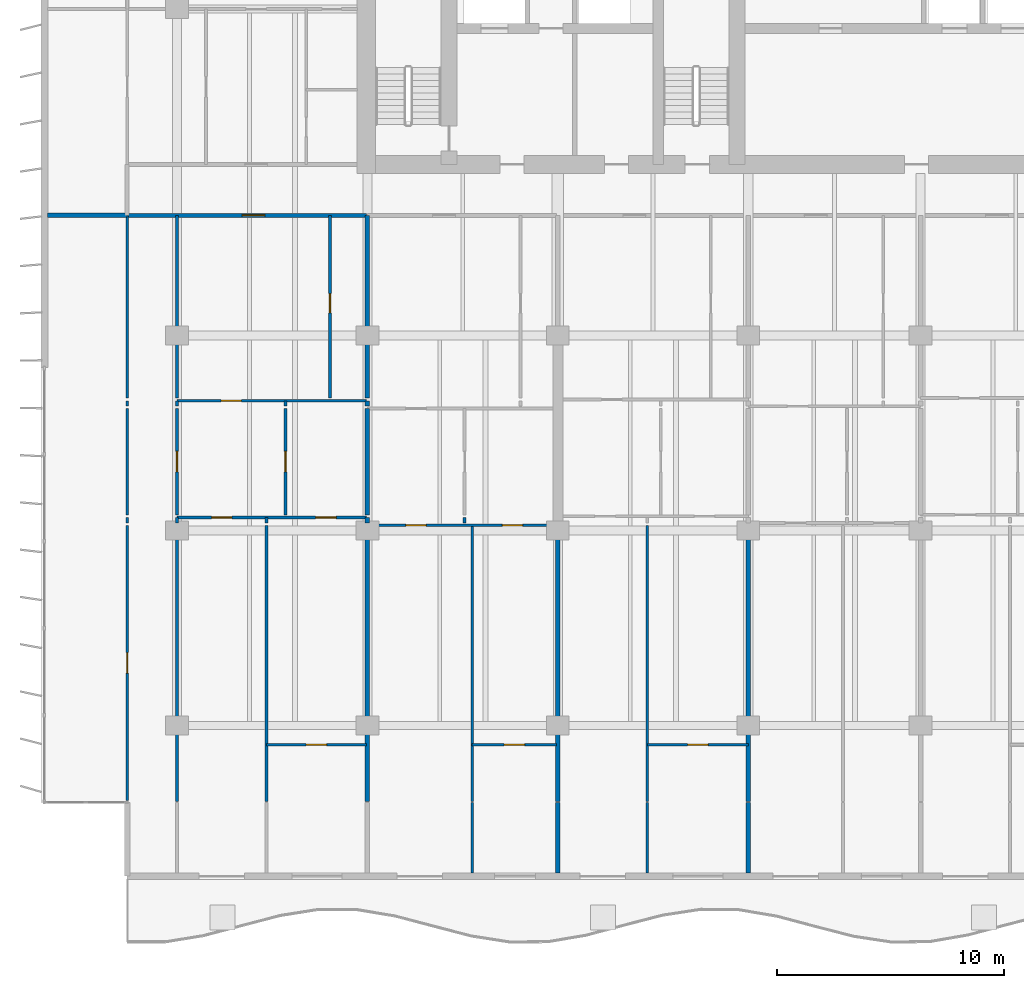
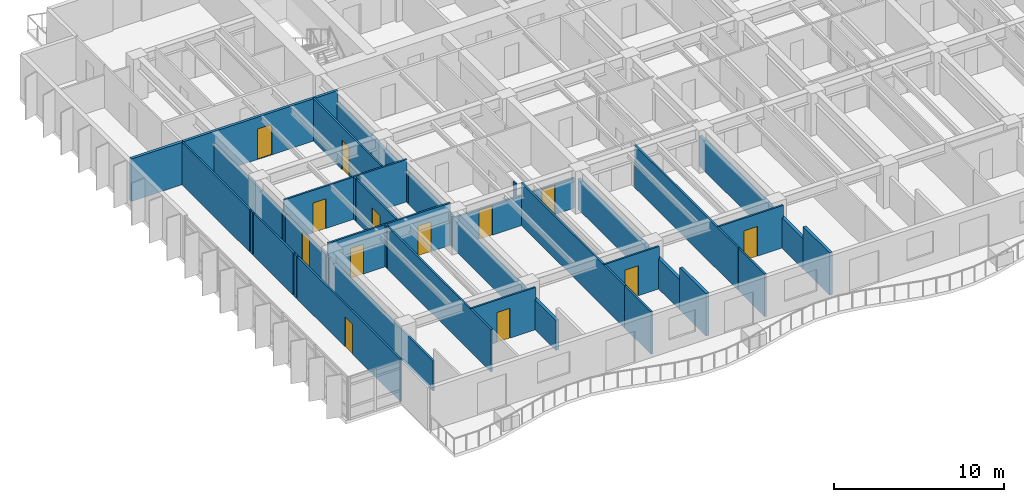
# One storey, part 6 of 18: 37 walls, 13 doors, 13 openings.
"""IFC4 building model written with IfcOpenShell, lengths in metres."""

from ifc_helpers import new_model, si_unit, direction, frame, frame_2d, origin, place, context, subcontext, project, spatial, rectangle, extrude, material, layer, layer_set, type_object, element, fill, save


model = new_model("IFC4")

# Units and contexts
model_context = context("Model", 3, precision=1e-05, world=origin(), true_north=direction((0.0, 1.0)))
body_context = subcontext(model_context, "Body", "Model", "MODEL_VIEW")
ifc_project = project(units=[si_unit("LENGTHUNIT", "METRE"), si_unit("AREAUNIT", "SQUARE_METRE"), si_unit("VOLUMEUNIT", "CUBIC_METRE"), si_unit("PLANEANGLEUNIT", "RADIAN"), si_unit("MASSUNIT", "GRAM", prefix="KILO")], contexts=[model_context])

# Site, building, storey
site_placement = place(None, origin())
site = spatial("IfcSite", under=ifc_project, at=site_placement, CompositionType="ELEMENT")
building_placement = place(site_placement, origin())
building = spatial("IfcBuilding", under=site, at=building_placement, Name="Caelmar Bay Residences", CompositionType="ELEMENT")
storey_placement = place(building_placement, frame((0.0, 0.0, 129.0)))
storey = spatial("IfcBuildingStorey", under=building, at=storey_placement, Name="L35", CompositionType="ELEMENT", Elevation=129.0)

# Wall, opening, door
ifc_material_1 = material(Name="Double-stud acoustic fire-rated gypsum partition 180 mm")
ifc_layer_1 = layer(ifc_material_1, 0.179931640625)
ifc_layer_set_1 = layer_set([ifc_layer_1], Name="Double-stud acoustic fire-rated gypsum partition 180 mm")
wall_type_1 = type_object("IfcWallType", Name="W-COR-200", PredefinedType="PARTITIONING", material=ifc_layer_set_1)
wall_1_placement = place(storey_placement, frame((7.705078125, 34.699951171875, 0.0), z_axis=(0.0, 0.0, 1.0), x_axis=(1.0, 0.0, 0.0)))
wall_1 = element("IfcWall", 1, at=wall_1_placement, inside=storey, type_object=wall_type_1, Name="L35 Partition Wall H142", PredefinedType="PARTITIONING", context=body_context, shape_type="SweptSolid", body=[
    extrude(rectangle(XDim=10.544921875, YDim=0.179931640625, at=frame_2d((5.2724609375, 0.0))), origin(), (0.0, 0.0, 1.0), 3.050048828125),
])
opening_1_placement = place(wall_1_placement, frame((5.070068359375, 0.0, 0.0)))
opening_1 = element("IfcOpeningElement", 2, at=opening_1_placement, cuts=wall_1, Name="Opening D-L35-123", PredefinedType="OPENING", context=body_context, shape_type="SweptSolid", body=[
    extrude(rectangle(XDim=1.0, YDim=2.199951171875, at=frame_2d((0.5, 1.10009765625))), frame((0.0, 0.099853515625, 0.0), z_axis=(0.0, -1.0, 0.0), x_axis=(1.0, 0.0, 0.0)), (0.0, 0.0, 1.0), 0.199951171875),
])
ifc_material_2 = material(Name="Fire-rated steel and walnut architectural door assembly", Category="steel")
ifc_layer_2 = layer(ifc_material_2, 0.050048828125)
ifc_layer_set_2 = layer_set([ifc_layer_2], Name="Fire-rated steel and walnut architectural door assembly")
door_type_1 = type_object("IfcDoorType", Name="D-UNIT-1000", OperationType="NOTDEFINED", PredefinedType="DOOR", material=ifc_layer_set_2)
door_1_placement = place(opening_1_placement, origin())
door_1 = element("IfcDoor", 3, at=door_1_placement, inside=storey, type_object=door_type_1, Name="L35 Residence 01 Apartment Hall Door", OperationType="SINGLE_SWING_RIGHT", OverallHeight=2.199951171875, OverallWidth=1.0, PredefinedType="DOOR", context=body_context, shape_type="SweptSolid", body=[
    extrude(rectangle(XDim=1.0, YDim=2.199951171875, at=frame_2d((0.5, 1.10009765625))), frame((0.0, 0.02490234375, 0.0), z_axis=(0.0, -1.0, 0.0), x_axis=(1.0, 0.0, 0.0)), (0.0, 0.0, 1.0), 0.050048828125),
])
fill(opening_1, door_1)

ifc_material_3 = material(Name="Acoustic metal-stud gypsum partition 120 mm")
ifc_layer_3 = layer(ifc_material_3, 0.1201171875)
ifc_layer_set_3 = layer_set([ifc_layer_3], Name="Acoustic metal-stud gypsum partition 120 mm")
wall_type_2 = type_object("IfcWallType", Name="W-PRT-120", PredefinedType="PARTITIONING", material=ifc_layer_set_3)
wall_2_placement = place(storey_placement, frame((7.699951171875, 8.885009765625, 0.0), z_axis=(0.0, 0.0, 1.0), x_axis=(0.0, 1.0, 0.0)))
wall_2 = element("IfcWall", 4, at=wall_2_placement, inside=storey, type_object=wall_type_2, Name="L35 Partition Wall V001", PredefinedType="PARTITIONING", context=body_context, shape_type="SweptSolid", body=[
    extrude(rectangle(XDim=12.14501953125, YDim=0.1201171875, at=frame_2d((6.072509765625, 0.0))), origin(), (0.0, 0.0, 1.0), 3.050048828125),
])
opening_2_placement = place(wall_2_placement, frame((5.62255859375, 0.0, 0.0)))
opening_2 = element("IfcOpeningElement", 5, at=opening_2_placement, cuts=wall_2, Name="Opening D-L35-173", PredefinedType="OPENING", context=body_context, shape_type="SweptSolid", body=[
    extrude(rectangle(XDim=0.89990234375, YDim=2.14990234375, at=frame_2d((0.449951171875, 1.074951171875))), frame((0.0, 0.070068359375, 0.0), z_axis=(0.0, -1.0, 0.0), x_axis=(1.0, 0.0, 0.0)), (0.0, 0.0, 1.0), 0.14013671875),
])
ifc_material_4 = material(Name="Solid walnut timber interior door leaf and frame", Category="wood")
ifc_layer_4 = layer(ifc_material_4, 0.050048828125)
ifc_layer_set_4 = layer_set([ifc_layer_4], Name="Solid walnut timber interior door leaf and frame")
door_type_2 = type_object("IfcDoorType", Name="D-ROOM-900", OperationType="NOTDEFINED", PredefinedType="DOOR", material=ifc_layer_set_4)
door_2_placement = place(opening_2_placement, origin())
door_2 = element("IfcDoor", 6, at=door_2_placement, inside=storey, type_object=door_type_2, Name="L35 Residence 01 Penthouse West Salon Door", OperationType="SINGLE_SWING_RIGHT", OverallHeight=2.14990234375, OverallWidth=0.89990234375, PredefinedType="DOOR", context=body_context, shape_type="SweptSolid", body=[
    extrude(rectangle(XDim=0.89990234375, YDim=2.14990234375, at=frame_2d((0.449951171875, 1.074951171875))), frame((0.0, 0.02490234375, 0.0), z_axis=(0.0, -1.0, 0.0), x_axis=(1.0, 0.0, 0.0)), (0.0, 0.0, 1.0), 0.050048828125),
])
fill(opening_2, door_2)

# Walls
wall_3_placement = place(storey_placement, frame((7.699951171875, 21.1298828125, 0.0), z_axis=(0.0, 0.0, 1.0), x_axis=(0.0, 1.0, 0.0)))
element("IfcWall", 7, at=wall_3_placement, inside=storey, type_object=wall_type_2, Name="L35 Partition Wall V002", PredefinedType="PARTITIONING", context=body_context, shape_type="SweptSolid", body=[
    extrude(rectangle(XDim=0.240234375, YDim=0.1201171875, at=frame_2d((0.1201171875, 0.0))), origin(), (0.0, 0.0, 1.0), 3.050048828125),
])
wall_4_placement = place(storey_placement, frame((7.699951171875, 21.489990234375, 0.0), z_axis=(0.0, 0.0, 1.0), x_axis=(0.0, 1.0, 0.0)))
element("IfcWall", 8, at=wall_4_placement, inside=storey, type_object=wall_type_2, Name="L35 Partition Wall V003", PredefinedType="PARTITIONING", context=body_context, shape_type="SweptSolid", body=[
    extrude(rectangle(XDim=4.68994140625, YDim=0.1201171875, at=frame_2d((2.344970703125, 0.0))), origin(), (0.0, 0.0, 1.0), 3.050048828125),
])
wall_5_placement = place(storey_placement, frame((7.699951171875, 26.280029296875, 0.0), z_axis=(0.0, 0.0, 1.0), x_axis=(0.0, 1.0, 0.0)))
element("IfcWall", 9, at=wall_5_placement, inside=storey, type_object=wall_type_2, Name="L35 Partition Wall V004", PredefinedType="PARTITIONING", context=body_context, shape_type="SweptSolid", body=[
    extrude(rectangle(XDim=0.239990234375, YDim=0.1201171875, at=frame_2d((0.1201171875, 0.0))), origin(), (0.0, 0.0, 1.0), 3.050048828125),
])
wall_6_placement = place(storey_placement, frame((7.699951171875, 26.639892578125, 0.0), z_axis=(0.0, 0.0, 1.0), x_axis=(0.0, 1.0, 0.0)))
element("IfcWall", 10, at=wall_6_placement, inside=storey, type_object=wall_type_2, Name="L35 Partition Wall V005", PredefinedType="PARTITIONING", context=body_context, shape_type="SweptSolid", body=[
    extrude(rectangle(XDim=8.06005859375, YDim=0.1201171875, at=frame_2d((4.030029296875, 0.0))), origin(), (0.0, 0.0, 1.0), 3.050048828125),
])
wall_7_placement = place(storey_placement, frame((9.89990234375, 8.840087890625, 0.0), z_axis=(0.0, 0.0, 1.0), x_axis=(0.0, 1.0, 0.0)))
element("IfcWall", 11, at=wall_7_placement, inside=storey, type_object=wall_type_2, Name="L35 Partition Wall V010", PredefinedType="PARTITIONING", context=body_context, shape_type="SweptSolid", body=[
    extrude(rectangle(XDim=12.18994140625, YDim=0.1201171875, at=frame_2d((6.094970703125, 0.0))), origin(), (0.0, 0.0, 1.0), 2.174072265625),
])
wall_8_placement = place(storey_placement, frame((9.89990234375, 21.1298828125, 0.0), z_axis=(0.0, 0.0, 1.0), x_axis=(0.0, 1.0, 0.0)))
element("IfcWall", 12, at=wall_8_placement, inside=storey, type_object=wall_type_2, Name="L35 Partition Wall V011", PredefinedType="PARTITIONING", context=body_context, shape_type="SweptSolid", body=[
    extrude(rectangle(XDim=0.240234375, YDim=0.1201171875, at=frame_2d((0.1201171875, 0.0))), origin(), (0.0, 0.0, 1.0), 2.174072265625),
])

# Wall, opening, door
wall_9_placement = place(storey_placement, frame((9.89990234375, 21.489990234375, 0.0), z_axis=(0.0, 0.0, 1.0), x_axis=(0.0, 1.0, 0.0)))
wall_9 = element("IfcWall", 13, at=wall_9_placement, inside=storey, type_object=wall_type_2, Name="L35 Partition Wall V012", PredefinedType="PARTITIONING", context=body_context, shape_type="SweptSolid", body=[
    extrude(rectangle(XDim=4.68994140625, YDim=0.1201171875, at=frame_2d((2.344970703125, 0.0))), origin(), (0.0, 0.0, 1.0), 2.174072265625),
])
opening_3_placement = place(wall_9_placement, frame((1.89501953125, 0.0, 0.0)))
opening_3 = element("IfcOpeningElement", 14, at=opening_3_placement, cuts=wall_9, Name="Opening D-L35-130", PredefinedType="OPENING", context=body_context, shape_type="SweptSolid", body=[
    extrude(rectangle(XDim=0.89990234375, YDim=2.1240234375, at=frame_2d((0.449951171875, 1.06201171875))), frame((0.0, 0.070068359375, 0.0), z_axis=(0.0, -1.0, 0.0), x_axis=(1.0, 0.0, 0.0)), (0.0, 0.0, 1.0), 0.14013671875),
])
door_3_placement = place(opening_3_placement, origin())
door_3 = element("IfcDoor", 15, at=door_3_placement, inside=storey, type_object=door_type_2, Name="L35 Residence 01 West Apartment Hall Door", OperationType="SINGLE_SWING_LEFT", OverallHeight=2.1240234375, OverallWidth=0.89990234375, PredefinedType="DOOR", context=body_context, shape_type="SweptSolid", body=[
    extrude(rectangle(XDim=0.89990234375, YDim=2.1240234375, at=frame_2d((0.449951171875, 1.06201171875))), frame((0.0, 0.02490234375, 0.0), z_axis=(0.0, -1.0, 0.0), x_axis=(1.0, 0.0, 0.0)), (0.0, 0.0, 1.0), 0.050048828125),
])
fill(opening_3, door_3)

# Walls
wall_10_placement = place(storey_placement, frame((9.89990234375, 26.280029296875, 0.0), z_axis=(0.0, 0.0, 1.0), x_axis=(0.0, 1.0, 0.0)))
element("IfcWall", 16, at=wall_10_placement, inside=storey, type_object=wall_type_2, Name="L35 Partition Wall V013", PredefinedType="PARTITIONING", context=body_context, shape_type="SweptSolid", body=[
    extrude(rectangle(XDim=0.239990234375, YDim=0.1201171875, at=frame_2d((0.1201171875, 0.0))), origin(), (0.0, 0.0, 1.0), 2.174072265625),
])
wall_11_placement = place(storey_placement, frame((9.89990234375, 26.639892578125, 0.0), z_axis=(0.0, 0.0, 1.0), x_axis=(0.0, 1.0, 0.0)))
element("IfcWall", 17, at=wall_11_placement, inside=storey, type_object=wall_type_2, Name="L35 Partition Wall V014", PredefinedType="PARTITIONING", context=body_context, shape_type="SweptSolid", body=[
    extrude(rectangle(XDim=8.06005859375, YDim=0.1201171875, at=frame_2d((4.030029296875, 0.0))), origin(), (0.0, 0.0, 1.0), 2.174072265625),
])
wall_12_placement = place(storey_placement, frame((13.847900390625, 8.840087890625, 0.0), z_axis=(0.0, 0.0, 1.0), x_axis=(0.0, 1.0, 0.0)))
element("IfcWall", 18, at=wall_12_placement, inside=storey, type_object=wall_type_2, Name="L35 Partition Wall V017", PredefinedType="PARTITIONING", context=body_context, shape_type="SweptSolid", body=[
    extrude(rectangle(XDim=12.18994140625, YDim=0.1201171875, at=frame_2d((6.094970703125, 0.0))), origin(), (0.0, 0.0, 1.0), 3.050048828125),
])
wall_13_placement = place(storey_placement, frame((13.847900390625, 21.1298828125, 0.0), z_axis=(0.0, 0.0, 1.0), x_axis=(0.0, 1.0, 0.0)))
element("IfcWall", 19, at=wall_13_placement, inside=storey, type_object=wall_type_2, Name="L35 Partition Wall V018", PredefinedType="PARTITIONING", context=body_context, shape_type="SweptSolid", body=[
    extrude(rectangle(XDim=0.240234375, YDim=0.1201171875, at=frame_2d((0.1201171875, 0.0))), origin(), (0.0, 0.0, 1.0), 3.050048828125),
])

# Wall, opening, door
wall_14_placement = place(storey_placement, frame((14.68603515625, 21.489990234375, 0.0), z_axis=(0.0, 0.0, 1.0), x_axis=(0.0, 1.0, 0.0)))
wall_14 = element("IfcWall", 20, at=wall_14_placement, inside=storey, type_object=wall_type_2, Name="L35 Partition Wall V019", PredefinedType="PARTITIONING", context=body_context, shape_type="SweptSolid", body=[
    extrude(rectangle(XDim=4.68994140625, YDim=0.1201171875, at=frame_2d((2.344970703125, 0.0))), origin(), (0.0, 0.0, 1.0), 3.050048828125),
])
opening_4_placement = place(wall_14_placement, frame((1.89501953125, 0.0, 0.0)))
opening_4 = element("IfcOpeningElement", 21, at=opening_4_placement, cuts=wall_14, Name="Opening D-L35-126", PredefinedType="OPENING", context=body_context, shape_type="SweptSolid", body=[
    extrude(rectangle(XDim=0.89990234375, YDim=2.14990234375, at=frame_2d((0.449951171875, 1.074951171875))), frame((0.0, 0.070068359375, 0.0), z_axis=(0.0, -1.0, 0.0), x_axis=(1.0, 0.0, 0.0)), (0.0, 0.0, 1.0), 0.14013671875),
])
door_4_placement = place(opening_4_placement, origin())
door_4 = element("IfcDoor", 22, at=door_4_placement, inside=storey, type_object=door_type_2, Name="L35 Residence 01 Study Door", OperationType="SINGLE_SWING_LEFT", OverallHeight=2.14990234375, OverallWidth=0.89990234375, PredefinedType="DOOR", context=body_context, shape_type="SweptSolid", body=[
    extrude(rectangle(XDim=0.89990234375, YDim=2.14990234375, at=frame_2d((0.449951171875, 1.074951171875))), frame((0.0, 0.02490234375, 0.0), z_axis=(0.0, -1.0, 0.0), x_axis=(1.0, 0.0, 0.0)), (0.0, 0.0, 1.0), 0.050048828125),
])
fill(opening_4, door_4)

# Wall
wall_15_placement = place(storey_placement, frame((14.68603515625, 26.280029296875, 0.0), z_axis=(0.0, 0.0, 1.0), x_axis=(0.0, 1.0, 0.0)))
element("IfcWall", 23, at=wall_15_placement, inside=storey, type_object=wall_type_2, Name="L35 Partition Wall V020", PredefinedType="PARTITIONING", context=body_context, shape_type="SweptSolid", body=[
    extrude(rectangle(XDim=0.239990234375, YDim=0.1201171875, at=frame_2d((0.1201171875, 0.0))), origin(), (0.0, 0.0, 1.0), 3.050048828125),
])

# Wall, opening, door
wall_16_placement = place(storey_placement, frame((16.64990234375, 26.639892578125, 0.0), z_axis=(0.0, 0.0, 1.0), x_axis=(0.0, 1.0, 0.0)))
wall_16 = element("IfcWall", 24, at=wall_16_placement, inside=storey, type_object=wall_type_2, Name="L35 Partition Wall V022", PredefinedType="PARTITIONING", context=body_context, shape_type="SweptSolid", body=[
    extrude(rectangle(XDim=8.06005859375, YDim=0.1201171875, at=frame_2d((4.030029296875, 0.0))), origin(), (0.0, 0.0, 1.0), 3.050048828125),
])
opening_5_placement = place(wall_16_placement, frame((3.7548828125, 0.0, 0.0)))
opening_5 = element("IfcOpeningElement", 25, at=opening_5_placement, cuts=wall_16, Name="Opening D-L35-124", PredefinedType="OPENING", context=body_context, shape_type="SweptSolid", body=[
    extrude(rectangle(XDim=0.85009765625, YDim=2.10009765625, at=frame_2d((0.425048828125, 1.050048828125))), frame((0.0, 0.070068359375, 0.0), z_axis=(0.0, -1.0, 0.0), x_axis=(1.0, 0.0, 0.0)), (0.0, 0.0, 1.0), 0.14013671875),
])
ifc_layer_5 = layer(ifc_material_4, 0.050048828125)
ifc_layer_set_5 = layer_set([ifc_layer_5], Name="Solid walnut timber interior door leaf and frame")
door_type_3 = type_object("IfcDoorType", Name="D-BATH-850", OperationType="NOTDEFINED", PredefinedType="DOOR", material=ifc_layer_set_5)
door_5_placement = place(opening_5_placement, origin())
door_5 = element("IfcDoor", 26, at=door_5_placement, inside=storey, type_object=door_type_3, Name="L35 Residence 01 Bathroom Door", OperationType="SINGLE_SWING_LEFT", OverallHeight=2.10009765625, OverallWidth=0.85009765625, PredefinedType="DOOR", context=body_context, shape_type="SweptSolid", body=[
    extrude(rectangle(XDim=0.85009765625, YDim=2.10009765625, at=frame_2d((0.425048828125, 1.050048828125))), frame((0.0, 0.02490234375, 0.0), z_axis=(0.0, -1.0, 0.0), x_axis=(1.0, 0.0, 0.0)), (0.0, 0.0, 1.0), 0.050048828125),
])
fill(opening_5, door_5)

# Walls
wall_17_placement = place(storey_placement, frame((22.5859375, 21.1298828125, 0.0), z_axis=(0.0, 0.0, 1.0), x_axis=(0.0, 1.0, 0.0)))
element("IfcWall", 27, at=wall_17_placement, inside=storey, type_object=wall_type_2, Name="L35 Partition Wall V030", PredefinedType="PARTITIONING", context=body_context, shape_type="SweptSolid", body=[
    extrude(rectangle(XDim=0.240234375, YDim=0.1201171875, at=frame_2d((0.1201171875, 0.0))), origin(), (0.0, 0.0, 1.0), 3.050048828125),
])
wall_18_placement = place(storey_placement, frame((22.919921875, 5.695068359375, 0.0), z_axis=(0.0, 0.0, 1.0), x_axis=(0.0, 1.0, 0.0)))
element("IfcWall", 28, at=wall_18_placement, inside=storey, type_object=wall_type_2, Name="L35 Partition Wall V032", PredefinedType="PARTITIONING", context=body_context, shape_type="SweptSolid", body=[
    extrude(rectangle(XDim=3.10498046875, YDim=0.1201171875, at=frame_2d((1.552490234375, 0.0))), origin(), (0.0, 0.0, 1.0), 3.050048828125),
])
wall_19_placement = place(storey_placement, frame((22.919921875, 8.840087890625, 0.0), z_axis=(0.0, 0.0, 1.0), x_axis=(0.0, 1.0, 0.0)))
element("IfcWall", 29, at=wall_19_placement, inside=storey, type_object=wall_type_2, Name="L35 Partition Wall V033", PredefinedType="PARTITIONING", context=body_context, shape_type="SweptSolid", body=[
    extrude(rectangle(XDim=12.18994140625, YDim=0.1201171875, at=frame_2d((6.094970703125, 0.0))), origin(), (0.0, 0.0, 1.0), 3.050048828125),
])
wall_20_placement = place(storey_placement, frame((30.64794921875, 5.695068359375, 0.0), z_axis=(0.0, 0.0, 1.0), x_axis=(0.0, 1.0, 0.0)))
element("IfcWall", 30, at=wall_20_placement, inside=storey, type_object=wall_type_2, Name="L35 Partition Wall V043", PredefinedType="PARTITIONING", context=body_context, shape_type="SweptSolid", body=[
    extrude(rectangle(XDim=3.10498046875, YDim=0.1201171875, at=frame_2d((1.552490234375, 0.0))), origin(), (0.0, 0.0, 1.0), 3.050048828125),
])
wall_21_placement = place(storey_placement, frame((30.64794921875, 8.840087890625, 0.0), z_axis=(0.0, 0.0, 1.0), x_axis=(0.0, 1.0, 0.0)))
element("IfcWall", 31, at=wall_21_placement, inside=storey, type_object=wall_type_2, Name="L35 Partition Wall V044", PredefinedType="PARTITIONING", context=body_context, shape_type="SweptSolid", body=[
    extrude(rectangle(XDim=12.18994140625, YDim=0.1201171875, at=frame_2d((6.094970703125, 0.0))), origin(), (0.0, 0.0, 1.0), 3.050048828125),
])

# Wall, opening, door
wall_22_placement = place(storey_placement, frame((13.847900390625, 11.35009765625, 0.0), z_axis=(0.0, 0.0, 1.0), x_axis=(1.0, 0.0, 0.0)))
wall_22 = element("IfcWall", 32, at=wall_22_placement, inside=storey, type_object=wall_type_2, Name="L35 Partition Wall H121", PredefinedType="PARTITIONING", context=body_context, shape_type="SweptSolid", body=[
    extrude(rectangle(XDim=4.402099609375, YDim=0.1201171875, at=frame_2d((2.201171875, 0.0))), origin(), (0.0, 0.0, 1.0), 3.050048828125),
])
opening_6_placement = place(wall_22_placement, frame((1.7509765625, 0.0, 0.0)))
opening_6 = element("IfcOpeningElement", 33, at=opening_6_placement, cuts=wall_22, Name="Opening D-L35-129", PredefinedType="OPENING", context=body_context, shape_type="SweptSolid", body=[
    extrude(rectangle(XDim=0.89990234375, YDim=2.14990234375, at=frame_2d((0.449951171875, 1.074951171875))), frame((0.0, 0.070068359375, 0.0), z_axis=(0.0, -1.0, 0.0), x_axis=(1.0, 0.0, 0.0)), (0.0, 0.0, 1.0), 0.14013671875),
])
door_6_placement = place(opening_6_placement, origin())
door_6 = element("IfcDoor", 34, at=door_6_placement, inside=storey, type_object=door_type_2, Name="L35 Residence 01 Primary Bedroom Door", OperationType="SINGLE_SWING_RIGHT", OverallHeight=2.14990234375, OverallWidth=0.89990234375, PredefinedType="DOOR", context=body_context, shape_type="SweptSolid", body=[
    extrude(rectangle(XDim=0.89990234375, YDim=2.14990234375, at=frame_2d((0.449951171875, 1.074951171875))), frame((0.0, 0.02490234375, 0.0), z_axis=(0.0, -1.0, 0.0), x_axis=(1.0, 0.0, 0.0)), (0.0, 0.0, 1.0), 0.050048828125),
])
fill(opening_6, door_6)

wall_23_placement = place(storey_placement, frame((22.919921875, 11.35009765625, 0.0), z_axis=(0.0, 0.0, 1.0), x_axis=(1.0, 0.0, 0.0)))
wall_23 = element("IfcWall", 35, at=wall_23_placement, inside=storey, type_object=wall_type_2, Name="L35 Partition Wall H122", PredefinedType="PARTITIONING", context=body_context, shape_type="SweptSolid", body=[
    extrude(rectangle(XDim=3.72998046875, YDim=0.1201171875, at=frame_2d((1.864990234375, 0.0))), origin(), (0.0, 0.0, 1.0), 3.050048828125),
])
opening_7_placement = place(wall_23_placement, frame((1.4150390625, 0.0, 0.0)))
opening_7 = element("IfcOpeningElement", 36, at=opening_7_placement, cuts=wall_23, Name="Opening D-L35-137", PredefinedType="OPENING", context=body_context, shape_type="SweptSolid", body=[
    extrude(rectangle(XDim=0.89990234375, YDim=2.14990234375, at=frame_2d((0.449951171875, 1.074951171875))), frame((0.0, 0.070068359375, 0.0), z_axis=(0.0, -1.0, 0.0), x_axis=(1.0, 0.0, 0.0)), (0.0, 0.0, 1.0), 0.14013671875),
])
door_7_placement = place(opening_7_placement, origin())
door_7 = element("IfcDoor", 37, at=door_7_placement, inside=storey, type_object=door_type_2, Name="L35 Residence 02 Primary Bedroom Door", OperationType="SINGLE_SWING_RIGHT", OverallHeight=2.14990234375, OverallWidth=0.89990234375, PredefinedType="DOOR", context=body_context, shape_type="SweptSolid", body=[
    extrude(rectangle(XDim=0.89990234375, YDim=2.14990234375, at=frame_2d((0.449951171875, 1.074951171875))), frame((0.0, 0.02490234375, 0.0), z_axis=(0.0, -1.0, 0.0), x_axis=(1.0, 0.0, 0.0)), (0.0, 0.0, 1.0), 0.050048828125),
])
fill(opening_7, door_7)

wall_24_placement = place(storey_placement, frame((30.64794921875, 11.35009765625, 0.0), z_axis=(0.0, 0.0, 1.0), x_axis=(1.0, 0.0, 0.0)))
wall_24 = element("IfcWall", 38, at=wall_24_placement, inside=storey, type_object=wall_type_2, Name="L35 Partition Wall H123", PredefinedType="PARTITIONING", context=body_context, shape_type="SweptSolid", body=[
    extrude(rectangle(XDim=4.4521484375, YDim=0.1201171875, at=frame_2d((2.22607421875, 0.0))), origin(), (0.0, 0.0, 1.0), 3.050048828125),
])
opening_8_placement = place(wall_24_placement, frame((1.77587890625, 0.0, 0.0)))
opening_8 = element("IfcOpeningElement", 39, at=opening_8_placement, cuts=wall_24, Name="Opening D-L35-144", PredefinedType="OPENING", context=body_context, shape_type="SweptSolid", body=[
    extrude(rectangle(XDim=0.89990234375, YDim=2.14990234375, at=frame_2d((0.449951171875, 1.074951171875))), frame((0.0, 0.070068359375, 0.0), z_axis=(0.0, -1.0, 0.0), x_axis=(1.0, 0.0, 0.0)), (0.0, 0.0, 1.0), 0.14013671875),
])
door_8_placement = place(opening_8_placement, origin())
door_8 = element("IfcDoor", 40, at=door_8_placement, inside=storey, type_object=door_type_2, Name="L35 Residence 03 Primary Bedroom Door", OperationType="SINGLE_SWING_LEFT", OverallHeight=2.14990234375, OverallWidth=0.89990234375, PredefinedType="DOOR", context=body_context, shape_type="SweptSolid", body=[
    extrude(rectangle(XDim=0.89990234375, YDim=2.14990234375, at=frame_2d((0.449951171875, 1.074951171875))), frame((0.0, 0.02490234375, 0.0), z_axis=(0.0, -1.0, 0.0), x_axis=(1.0, 0.0, 0.0)), (0.0, 0.0, 1.0), 0.050048828125),
])
fill(opening_8, door_8)

# Wall, openings, doors
wall_25_placement = place(storey_placement, frame((18.300048828125, 21.030029296875, 0.0), z_axis=(0.0, 0.0, 1.0), x_axis=(1.0, 0.0, 0.0)))
wall_25 = element("IfcWall", 41, at=wall_25_placement, inside=storey, type_object=wall_type_2, Name="L35 Partition Wall H127", PredefinedType="PARTITIONING", context=body_context, shape_type="SweptSolid", body=[
    extrude(rectangle(XDim=8.179931640625, YDim=0.1201171875, at=frame_2d((4.08984375, 0.0))), origin(), (0.0, 0.0, 1.0), 2.174072265625),
])
opening_9_placement = place(wall_25_placement, frame((1.693115234375, 0.0, 0.0)))
opening_9 = element("IfcOpeningElement", 42, at=opening_9_placement, cuts=wall_25, Name="Opening D-L35-135", PredefinedType="OPENING", context=body_context, shape_type="SweptSolid", body=[
    extrude(rectangle(XDim=0.89990234375, YDim=2.1240234375, at=frame_2d((0.449951171875, 1.06201171875))), frame((0.0, 0.070068359375, 0.0), z_axis=(0.0, -1.0, 0.0), x_axis=(1.0, 0.0, 0.0)), (0.0, 0.0, 1.0), 0.14013671875),
])
opening_10_placement = place(wall_25_placement, frame((5.949951171875, 0.0, 0.0)))
opening_10 = element("IfcOpeningElement", 43, at=opening_10_placement, cuts=wall_25, Name="Opening D-L35-136", PredefinedType="OPENING", context=body_context, shape_type="SweptSolid", body=[
    extrude(rectangle(XDim=0.89990234375, YDim=2.1240234375, at=frame_2d((0.449951171875, 1.06201171875))), frame((0.0, 0.070068359375, 0.0), z_axis=(0.0, -1.0, 0.0), x_axis=(1.0, 0.0, 0.0)), (0.0, 0.0, 1.0), 0.14013671875),
])
door_9_placement = place(opening_9_placement, origin())
door_9 = element("IfcDoor", 44, at=door_9_placement, inside=storey, type_object=door_type_2, Name="L35 Residence 02 Living Room Door", OperationType="SINGLE_SWING_RIGHT", OverallHeight=2.1240234375, OverallWidth=0.89990234375, PredefinedType="DOOR", context=body_context, shape_type="SweptSolid", body=[
    extrude(rectangle(XDim=0.89990234375, YDim=2.1240234375, at=frame_2d((0.449951171875, 1.06201171875))), frame((0.0, 0.02490234375, 0.0), z_axis=(0.0, -1.0, 0.0), x_axis=(1.0, 0.0, 0.0)), (0.0, 0.0, 1.0), 0.050048828125),
])
fill(opening_9, door_9)
door_10_placement = place(opening_10_placement, origin())
door_10 = element("IfcDoor", 45, at=door_10_placement, inside=storey, type_object=door_type_2, Name="L35 Residence 02 Bedroom 2 Door", OperationType="SINGLE_SWING_LEFT", OverallHeight=2.1240234375, OverallWidth=0.89990234375, PredefinedType="DOOR", context=body_context, shape_type="SweptSolid", body=[
    extrude(rectangle(XDim=0.89990234375, YDim=2.1240234375, at=frame_2d((0.449951171875, 1.06201171875))), frame((0.0, 0.02490234375, 0.0), z_axis=(0.0, -1.0, 0.0), x_axis=(1.0, 0.0, 0.0)), (0.0, 0.0, 1.0), 0.050048828125),
])
fill(opening_10, door_10)

wall_26_placement = place(storey_placement, frame((9.89990234375, 21.3701171875, 0.0), z_axis=(0.0, 0.0, 1.0), x_axis=(1.0, 0.0, 0.0)))
wall_26 = element("IfcWall", 46, at=wall_26_placement, inside=storey, type_object=wall_type_2, Name="L35 Partition Wall H130", PredefinedType="PARTITIONING", context=body_context, shape_type="SweptSolid", body=[
    extrude(rectangle(XDim=8.35009765625, YDim=0.1201171875, at=frame_2d((4.175048828125, 0.0))), origin(), (0.0, 0.0, 1.0), 3.050048828125),
])
opening_11_placement = place(wall_26_placement, frame((1.52392578125, 0.0, 0.0)))
opening_11 = element("IfcOpeningElement", 47, at=opening_11_placement, cuts=wall_26, Name="Opening D-L35-127", PredefinedType="OPENING", context=body_context, shape_type="SweptSolid", body=[
    extrude(rectangle(XDim=0.89990234375, YDim=2.14990234375, at=frame_2d((0.449951171875, 1.074951171875))), frame((0.0, 0.070068359375, 0.0), z_axis=(0.0, -1.0, 0.0), x_axis=(1.0, 0.0, 0.0)), (0.0, 0.0, 1.0), 0.14013671875),
])
opening_12_placement = place(wall_26_placement, frame((6.117919921875, 0.0, 0.0)))
opening_12 = element("IfcOpeningElement", 48, at=opening_12_placement, cuts=wall_26, Name="Opening D-L35-128", PredefinedType="OPENING", context=body_context, shape_type="SweptSolid", body=[
    extrude(rectangle(XDim=0.89990234375, YDim=2.14990234375, at=frame_2d((0.449951171875, 1.074951171875))), frame((0.0, 0.070068359375, 0.0), z_axis=(0.0, -1.0, 0.0), x_axis=(1.0, 0.0, 0.0)), (0.0, 0.0, 1.0), 0.14013671875),
])
door_11_placement = place(opening_11_placement, origin())
door_11 = element("IfcDoor", 49, at=door_11_placement, inside=storey, type_object=door_type_2, Name="L35 Residence 01 Living Room Door", OperationType="SINGLE_SWING_RIGHT", OverallHeight=2.14990234375, OverallWidth=0.89990234375, PredefinedType="DOOR", context=body_context, shape_type="SweptSolid", body=[
    extrude(rectangle(XDim=0.89990234375, YDim=2.14990234375, at=frame_2d((0.449951171875, 1.074951171875))), frame((0.0, 0.02490234375, 0.0), z_axis=(0.0, -1.0, 0.0), x_axis=(1.0, 0.0, 0.0)), (0.0, 0.0, 1.0), 0.050048828125),
])
fill(opening_11, door_11)
door_12_placement = place(opening_12_placement, origin())
door_12 = element("IfcDoor", 50, at=door_12_placement, inside=storey, type_object=door_type_2, Name="L35 Residence 01 Penthouse Sitting Room Door", OperationType="SINGLE_SWING_LEFT", OverallHeight=2.14990234375, OverallWidth=0.89990234375, PredefinedType="DOOR", context=body_context, shape_type="SweptSolid", body=[
    extrude(rectangle(XDim=0.89990234375, YDim=2.14990234375, at=frame_2d((0.449951171875, 1.074951171875))), frame((0.0, 0.02490234375, 0.0), z_axis=(0.0, -1.0, 0.0), x_axis=(1.0, 0.0, 0.0)), (0.0, 0.0, 1.0), 0.050048828125),
])
fill(opening_12, door_12)

# Wall, opening, door
wall_27_placement = place(storey_placement, frame((9.89990234375, 26.52001953125, 0.0), z_axis=(0.0, 0.0, 1.0), x_axis=(1.0, 0.0, 0.0)))
wall_27 = element("IfcWall", 51, at=wall_27_placement, inside=storey, type_object=wall_type_2, Name="L35 Partition Wall H137", PredefinedType="PARTITIONING", context=body_context, shape_type="SweptSolid", body=[
    extrude(rectangle(XDim=8.35009765625, YDim=0.1201171875, at=frame_2d((4.175048828125, 0.0))), origin(), (0.0, 0.0, 1.0), 3.050048828125),
])
opening_13_placement = place(wall_27_placement, frame((1.943115234375, 0.0, 0.0)))
opening_13 = element("IfcOpeningElement", 52, at=opening_13_placement, cuts=wall_27, Name="Opening D-L35-125", PredefinedType="OPENING", context=body_context, shape_type="SweptSolid", body=[
    extrude(rectangle(XDim=0.89990234375, YDim=2.14990234375, at=frame_2d((0.449951171875, 1.074951171875))), frame((0.0, 0.070068359375, 0.0), z_axis=(0.0, -1.0, 0.0), x_axis=(1.0, 0.0, 0.0)), (0.0, 0.0, 1.0), 0.14013671875),
])
door_13_placement = place(opening_13_placement, origin())
door_13 = element("IfcDoor", 53, at=door_13_placement, inside=storey, type_object=door_type_2, Name="L35 Residence 01 Kitchen Door", OperationType="SINGLE_SWING_RIGHT", OverallHeight=2.14990234375, OverallWidth=0.89990234375, PredefinedType="DOOR", context=body_context, shape_type="SweptSolid", body=[
    extrude(rectangle(XDim=0.89990234375, YDim=2.14990234375, at=frame_2d((0.449951171875, 1.074951171875))), frame((0.0, 0.02490234375, 0.0), z_axis=(0.0, -1.0, 0.0), x_axis=(1.0, 0.0, 0.0)), (0.0, 0.0, 1.0), 0.050048828125),
])
fill(opening_13, door_13)

# Walls
ifc_material_5 = material(Name="Acoustic twin-stud fire-rated inter-tenancy partition 200 mm")
ifc_layer_6 = layer(ifc_material_5, 0.199951171875)
ifc_layer_set_6 = layer_set([ifc_layer_6], Name="Acoustic twin-stud fire-rated inter-tenancy partition 200 mm")
wall_type_3 = type_object("IfcWallType", Name="W-PTY-200", PredefinedType="PARTITIONING", material=ifc_layer_set_6)
wall_28_placement = place(storey_placement, frame((18.300048828125, 8.840087890625, 0.0), z_axis=(0.0, 0.0, 1.0), x_axis=(0.0, 1.0, 0.0)))
element("IfcWall", 54, at=wall_28_placement, inside=storey, type_object=wall_type_3, Name="L35 Partition Wall V024", PredefinedType="PARTITIONING", context=body_context, shape_type="SweptSolid", body=[
    extrude(rectangle(XDim=12.18994140625, YDim=0.199951171875, at=frame_2d((6.094970703125, 0.0))), origin(), (0.0, 0.0, 1.0), 2.174072265625),
])
wall_29_placement = place(storey_placement, frame((18.300048828125, 21.1298828125, 0.0), z_axis=(0.0, 0.0, 1.0), x_axis=(0.0, 1.0, 0.0)))
element("IfcWall", 55, at=wall_29_placement, inside=storey, type_object=wall_type_3, Name="L35 Partition Wall V025", PredefinedType="PARTITIONING", context=body_context, shape_type="SweptSolid", body=[
    extrude(rectangle(XDim=0.240234375, YDim=0.199951171875, at=frame_2d((0.1201171875, 0.0))), origin(), (0.0, 0.0, 1.0), 2.174072265625),
])
wall_30_placement = place(storey_placement, frame((18.300048828125, 21.489990234375, 0.0), z_axis=(0.0, 0.0, 1.0), x_axis=(0.0, 1.0, 0.0)))
element("IfcWall", 56, at=wall_30_placement, inside=storey, type_object=wall_type_3, Name="L35 Partition Wall V026", PredefinedType="PARTITIONING", context=body_context, shape_type="SweptSolid", body=[
    extrude(rectangle(XDim=4.68994140625, YDim=0.199951171875, at=frame_2d((2.344970703125, 0.0))), origin(), (0.0, 0.0, 1.0), 2.174072265625),
])
wall_31_placement = place(storey_placement, frame((18.300048828125, 26.280029296875, 0.0), z_axis=(0.0, 0.0, 1.0), x_axis=(0.0, 1.0, 0.0)))
element("IfcWall", 57, at=wall_31_placement, inside=storey, type_object=wall_type_3, Name="L35 Partition Wall V027", PredefinedType="PARTITIONING", context=body_context, shape_type="SweptSolid", body=[
    extrude(rectangle(XDim=0.239990234375, YDim=0.199951171875, at=frame_2d((0.1201171875, 0.0))), origin(), (0.0, 0.0, 1.0), 2.174072265625),
])
wall_32_placement = place(storey_placement, frame((18.300048828125, 26.639892578125, 0.0), z_axis=(0.0, 0.0, 1.0), x_axis=(0.0, 1.0, 0.0)))
element("IfcWall", 58, at=wall_32_placement, inside=storey, type_object=wall_type_3, Name="L35 Partition Wall V028", PredefinedType="PARTITIONING", context=body_context, shape_type="SweptSolid", body=[
    extrude(rectangle(XDim=8.06005859375, YDim=0.199951171875, at=frame_2d((4.030029296875, 0.0))), origin(), (0.0, 0.0, 1.0), 2.174072265625),
])
wall_33_placement = place(storey_placement, frame((26.699951171875, 5.695068359375, 0.0), z_axis=(0.0, 0.0, 1.0), x_axis=(0.0, 1.0, 0.0)))
element("IfcWall", 59, at=wall_33_placement, inside=storey, type_object=wall_type_3, Name="L35 Partition Wall V038", PredefinedType="PARTITIONING", context=body_context, shape_type="SweptSolid", body=[
    extrude(rectangle(XDim=3.10498046875, YDim=0.199951171875, at=frame_2d((1.552490234375, 0.0))), origin(), (0.0, 0.0, 1.0), 3.050048828125),
])
wall_34_placement = place(storey_placement, frame((26.699951171875, 8.840087890625, 0.0), z_axis=(0.0, 0.0, 1.0), x_axis=(0.0, 1.0, 0.0)))
element("IfcWall", 60, at=wall_34_placement, inside=storey, type_object=wall_type_3, Name="L35 Partition Wall V039", PredefinedType="PARTITIONING", context=body_context, shape_type="SweptSolid", body=[
    extrude(rectangle(XDim=11.954833984375, YDim=0.199951171875, at=frame_2d((5.9775390625, 0.0))), origin(), (0.0, 0.0, 1.0), 2.174072265625),
])
wall_35_placement = place(storey_placement, frame((35.10009765625, 5.695068359375, 0.0), z_axis=(0.0, 0.0, 1.0), x_axis=(0.0, 1.0, 0.0)))
element("IfcWall", 61, at=wall_35_placement, inside=storey, type_object=wall_type_3, Name="L35 Partition Wall V050", PredefinedType="PARTITIONING", context=body_context, shape_type="SweptSolid", body=[
    extrude(rectangle(XDim=3.10498046875, YDim=0.199951171875, at=frame_2d((1.552490234375, 0.0))), origin(), (0.0, 0.0, 1.0), 3.050048828125),
])
wall_36_placement = place(storey_placement, frame((35.10009765625, 8.840087890625, 0.0), z_axis=(0.0, 0.0, 1.0), x_axis=(0.0, 1.0, 0.0)))
element("IfcWall", 62, at=wall_36_placement, inside=storey, type_object=wall_type_3, Name="L35 Partition Wall V051", PredefinedType="PARTITIONING", context=body_context, shape_type="SweptSolid", body=[
    extrude(rectangle(XDim=12.18994140625, YDim=0.199951171875, at=frame_2d((6.094970703125, 0.0))), origin(), (0.0, 0.0, 1.0), 2.174072265625),
])
wall_37_placement = place(storey_placement, frame((4.195068359375, 34.699951171875, 0.0), z_axis=(0.0, 0.0, 1.0), x_axis=(1.0, 0.0, 0.0)))
element("IfcWall", 63, at=wall_37_placement, inside=storey, type_object=wall_type_3, Name="L35 Partition Wall H141", PredefinedType="PARTITIONING", context=body_context, shape_type="SweptSolid", body=[
    extrude(rectangle(XDim=3.5048828125, YDim=0.199951171875, at=frame_2d((1.75244140625, 0.0))), origin(), (0.0, 0.0, 1.0), 3.050048828125),
])

save(model, "model.ifc")
